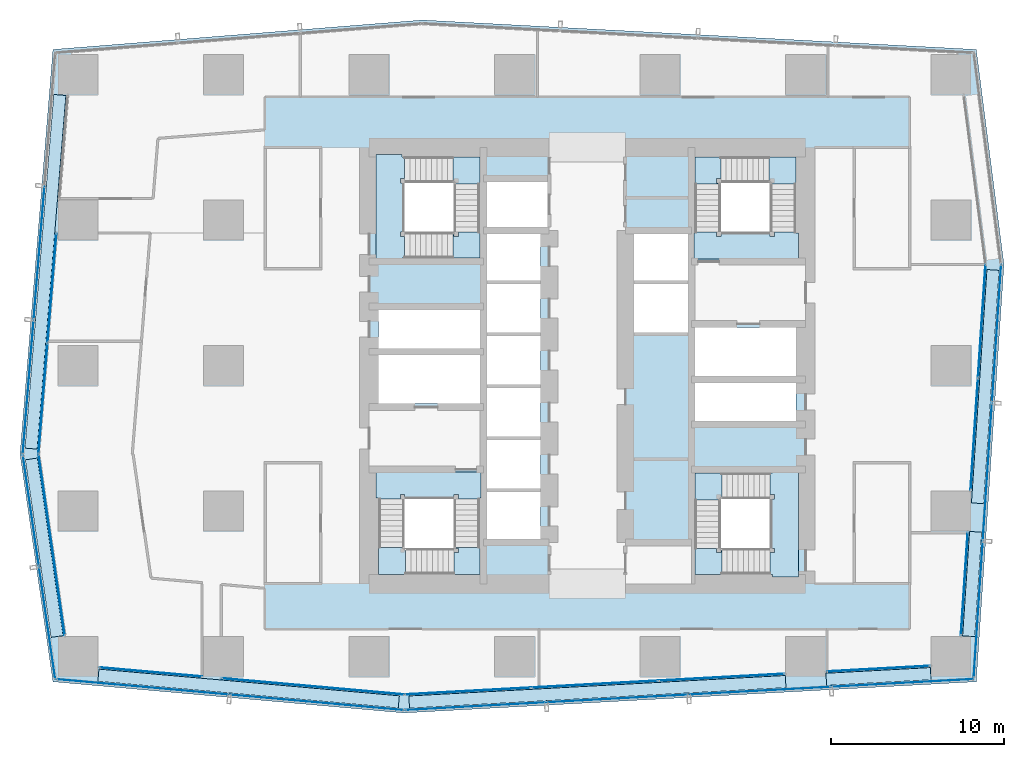
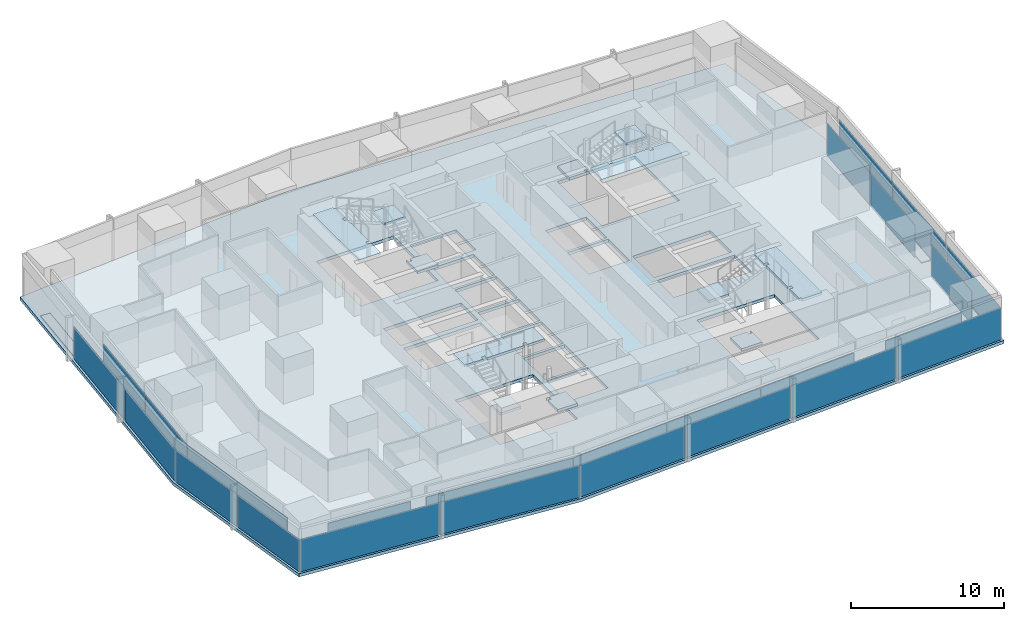
# One storey, part 20 of 32: 32 plates, 13 slabs, 17 elements without a shape of their own.
"""IFC4 building model written with IfcOpenShell, lengths in metres."""

from ifc_helpers import new_model, si_unit, direction, frame, origin, origin_2d, place, context, subcontext, project, spatial, polyline, rectangle, outline, extrude, material, layer, layer_set, type_object, element, aggregate, save


model = new_model("IFC4")

# Units and contexts
model_context = context("Model", 3, precision=1e-05, world=origin(), true_north=direction((0.0, 1.0)))
body_context = subcontext(model_context, "Body", "Model", "MODEL_VIEW")
ifc_project = project(units=[si_unit("LENGTHUNIT", "METRE"), si_unit("AREAUNIT", "SQUARE_METRE"), si_unit("VOLUMEUNIT", "CUBIC_METRE"), si_unit("PLANEANGLEUNIT", "RADIAN"), si_unit("MASSUNIT", "GRAM", prefix="KILO")], contexts=[model_context])

# Site, building, storey
site_placement = place(None, origin())
site = spatial("IfcSite", under=ifc_project, at=site_placement, CompositionType="ELEMENT")
building_placement = place(site_placement, origin())
building = spatial("IfcBuilding", under=site, at=building_placement, Name="Rekha Terrace Tower", CompositionType="ELEMENT")
storey_placement = place(building_placement, frame((0.0, 0.0, 250.10009765625)))
storey = spatial("IfcBuildingStorey", under=building, at=storey_placement, Name="L63", CompositionType="ELEMENT", Elevation=250.10009765625)

# Curtain wall, plate
ifc_material_1 = material(Name="Aluminium framing", Category="aluminium")
curtain_wall_type_1 = type_object("IfcCurtainWallType", Name="CW1 double skin inner glazing", PredefinedType="USERDEFINED", material=ifc_material_1)
curtain_wall_1_placement = place(storey_placement, origin())
curtain_wall_1 = element("IfcCurtainWall", 1, at=curtain_wall_1_placement, inside=storey, type_object=curtain_wall_type_1, Name="CW1 double skin inner glazing", ObjectType="DOUBLE SKIN INNER GLAZING", PredefinedType="USERDEFINED")
ifc_material_2 = material(Name="Double-glazed low-e unit 32", Category="glass")
ifc_layer_1 = layer(ifc_material_2, 0.031982421875)
ifc_layer_set_1 = layer_set([ifc_layer_1], Name="Double-glazed low-e unit 32")
plate_type_1 = type_object("IfcPlateType", Name="CW1 jumbo vision panel, double-glazed low-e unit 32", PredefinedType="CURTAIN_PANEL", material=ifc_layer_set_1)
plate_1_placement = place(storey_placement, frame((12.60009765625, 15.912109375, -0.000244140625), z_axis=(0.0, 0.0, 1.0), x_axis=(0.996074182655, -0.088522441492, 0.0)))
plate_1 = element("IfcPlate", 2, at=plate_1_placement, type_object=plate_type_1, Name="CW1 panel 1.1", PredefinedType="CURTAIN_PANEL", context=body_context, shape_type="SweptSolid", body=[
    extrude(rectangle(XDim=5.937255859375, YDim=0.031982421875, at=origin_2d()), origin(), (0.0, 0.0, 1.0), 2.60009765625),
])
aggregate(curtain_wall_1, [plate_1])

curtain_wall_2_placement = place(storey_placement, origin())
curtain_wall_2 = element("IfcCurtainWall", 3, at=curtain_wall_2_placement, inside=storey, type_object=curtain_wall_type_1, Name="CW1 double skin inner glazing", ObjectType="DOUBLE SKIN INNER GLAZING", PredefinedType="USERDEFINED")
plate_2_placement = place(storey_placement, frame((21.960205078125, 15.080322265625, -0.000244140625), z_axis=(0.0, 0.0, 1.0), x_axis=(0.996074182663, -0.088522441405, 0.0)))
plate_2 = element("IfcPlate", 4, at=plate_2_placement, type_object=plate_type_1, Name="CW1 panel 1.1", PredefinedType="CURTAIN_PANEL", context=body_context, shape_type="SweptSolid", body=[
    extrude(rectangle(XDim=10.5654296875, YDim=0.031982421875, at=origin_2d()), origin(), (0.0, 0.0, 1.0), 2.60009765625),
])
aggregate(curtain_wall_2, [plate_2])

# Curtain wall, plates
curtain_wall_3_placement = place(storey_placement, origin())
curtain_wall_3 = element("IfcCurtainWall", 5, at=curtain_wall_3_placement, inside=storey, type_object=curtain_wall_type_1, Name="CW1 double skin inner glazing", ObjectType="DOUBLE SKIN INNER GLAZING", PredefinedType="USERDEFINED")
plate_3_placement = place(storey_placement, frame((30.905517578125, 14.813232421875, -0.000244140625), z_axis=(0.0, 0.0, 1.0), x_axis=(0.998519828159, 0.054388903036, 0.0)))
plate_3 = element("IfcPlate", 6, at=plate_3_placement, type_object=plate_type_1, Name="CW1 panel 1.1", PredefinedType="CURTAIN_PANEL", context=body_context, shape_type="SweptSolid", body=[
    extrude(rectangle(XDim=7.24755859375, YDim=0.031982421875, at=origin_2d()), origin(), (0.0, 0.0, 1.0), 2.60009765625),
])
plate_4_placement = place(storey_placement, frame((38.2236328125, 15.2119140625, -0.000244140625), z_axis=(0.0, 0.0, 1.0), x_axis=(0.998519828159, 0.054388903036, 0.0)))
plate_4 = element("IfcPlate", 7, at=plate_4_placement, type_object=plate_type_1, Name="CW1 panel 2.1", PredefinedType="CURTAIN_PANEL", context=body_context, shape_type="SweptSolid", body=[
    extrude(rectangle(XDim=7.280029296875, YDim=0.031982421875, at=origin_2d()), origin(), (0.0, 0.0, 1.0), 2.60009765625),
])
plate_5_placement = place(storey_placement, frame((45.54150390625, 15.6103515625, -0.000244140625), z_axis=(0.0, 0.0, 1.0), x_axis=(0.998519828159, 0.054388903036, 0.0)))
plate_5 = element("IfcPlate", 8, at=plate_5_placement, type_object=plate_type_1, Name="CW1 panel 3.1", PredefinedType="CURTAIN_PANEL", context=body_context, shape_type="SweptSolid", body=[
    extrude(rectangle(XDim=7.24755859375, YDim=0.031982421875, at=origin_2d()), origin(), (0.0, 0.0, 1.0), 2.60009765625),
])
aggregate(curtain_wall_3, [plate_3, plate_4, plate_5])

# Curtain wall, plate
curtain_wall_4_placement = place(storey_placement, origin())
curtain_wall_4 = element("IfcCurtainWall", 9, at=curtain_wall_4_placement, inside=storey, type_object=curtain_wall_type_1, Name="CW1 double skin inner glazing", ObjectType="DOUBLE SKIN INNER GLAZING", PredefinedType="USERDEFINED")
plate_6_placement = place(storey_placement, frame((54.60009765625, 16.103759765625, -0.000244140625), z_axis=(0.0, 0.0, 1.0), x_axis=(0.998519828152, 0.054388903158, 0.0)))
plate_6 = element("IfcPlate", 10, at=plate_6_placement, type_object=plate_type_1, Name="CW1 panel 1.1", PredefinedType="CURTAIN_PANEL", context=body_context, shape_type="SweptSolid", body=[
    extrude(rectangle(XDim=5.9287109375, YDim=0.031982421875, at=origin_2d()), origin(), (0.0, 0.0, 1.0), 2.60009765625),
])
aggregate(curtain_wall_4, [plate_6])

curtain_wall_5_placement = place(storey_placement, origin())
curtain_wall_5 = element("IfcCurtainWall", 11, at=curtain_wall_5_placement, inside=storey, type_object=curtain_wall_type_1, Name="CW1 double skin inner glazing", ObjectType="DOUBLE SKIN INNER GLAZING", PredefinedType="USERDEFINED")
plate_7_placement = place(storey_placement, frame((59.56298828125, 21.0, -0.000244140625), z_axis=(0.0, 0.0, 1.0), x_axis=(0.066271589736, 0.997801621764, 0.0)))
plate_7 = element("IfcPlate", 12, at=plate_7_placement, type_object=plate_type_1, Name="CW1 panel 1.1", PredefinedType="CURTAIN_PANEL", context=body_context, shape_type="SweptSolid", body=[
    extrude(rectangle(XDim=5.930908203125, YDim=0.031982421875, at=origin_2d()), origin(), (0.0, 0.0, 1.0), 2.60009765625),
])
aggregate(curtain_wall_5, [plate_7])

# Curtain wall, plates
curtain_wall_6_placement = place(storey_placement, origin())
curtain_wall_6 = element("IfcCurtainWall", 13, at=curtain_wall_6_placement, inside=storey, type_object=curtain_wall_type_1, Name="CW1 double skin inner glazing", ObjectType="DOUBLE SKIN INNER GLAZING", PredefinedType="USERDEFINED")
plate_8_placement = place(storey_placement, frame((60.13720703125, 29.64697265625, -0.000244140625), z_axis=(0.0, 0.0, 1.0), x_axis=(0.066271589597, 0.997801621773, 0.0)))
plate_8 = element("IfcPlate", 14, at=plate_8_placement, type_object=plate_type_1, Name="CW1 panel 1.1", PredefinedType="CURTAIN_PANEL", context=body_context, shape_type="SweptSolid", body=[
    extrude(rectangle(XDim=6.434326171875, YDim=0.031982421875, at=origin_2d()), origin(), (0.0, 0.0, 1.0), 2.60009765625),
])
plate_9_placement = place(storey_placement, frame((60.570068359375, 36.16455078125, -0.000244140625), z_axis=(0.0, 0.0, 1.0), x_axis=(0.066271589597, 0.997801621773, 0.0)))
plate_9 = element("IfcPlate", 15, at=plate_9_placement, type_object=plate_type_1, Name="CW1 panel 2.1", PredefinedType="CURTAIN_PANEL", context=body_context, shape_type="SweptSolid", body=[
    extrude(rectangle(XDim=6.499267578125, YDim=0.031982421875, at=origin_2d()), origin(), (0.0, 0.0, 1.0), 2.60009765625),
])
aggregate(curtain_wall_6, [plate_8, plate_9])

curtain_wall_7_placement = place(storey_placement, origin())
curtain_wall_7 = element("IfcCurtainWall", 16, at=curtain_wall_7_placement, inside=storey, type_object=curtain_wall_type_1, Name="CW1 double skin inner glazing", ObjectType="DOUBLE SKIN INNER GLAZING", PredefinedType="USERDEFINED")
plate_10_placement = place(storey_placement, frame((6.89306640625, 38.07373046875, -0.000244140625), z_axis=(0.0, 0.0, 1.0), x_axis=(-0.081067906798, -0.996708580523, 0.0)))
plate_10 = element("IfcPlate", 17, at=plate_10_placement, type_object=plate_type_1, Name="CW1 panel 1.1", PredefinedType="CURTAIN_PANEL", context=body_context, shape_type="SweptSolid", body=[
    extrude(rectangle(XDim=6.30126953125, YDim=0.031982421875, at=origin_2d()), origin(), (0.0, 0.0, 1.0), 2.60009765625),
])
plate_11_placement = place(storey_placement, frame((6.374267578125, 31.696044921875, -0.000244140625), z_axis=(0.0, 0.0, 1.0), x_axis=(-0.081067906798, -0.996708580523, 0.0)))
plate_11 = element("IfcPlate", 18, at=plate_11_placement, type_object=plate_type_1, Name="CW1 panel 2.1", PredefinedType="CURTAIN_PANEL", context=body_context, shape_type="SweptSolid", body=[
    extrude(rectangle(XDim=6.366455078125, YDim=0.031982421875, at=origin_2d()), origin(), (0.0, 0.0, 1.0), 2.60009765625),
])
aggregate(curtain_wall_7, [plate_10, plate_11])

# Curtain wall, plate
curtain_wall_8_placement = place(storey_placement, origin())
curtain_wall_8 = element("IfcCurtainWall", 19, at=curtain_wall_8_placement, inside=storey, type_object=curtain_wall_type_1, Name="CW1 double skin inner glazing", ObjectType="DOUBLE SKIN INNER GLAZING", PredefinedType="USERDEFINED")
plate_12_placement = place(storey_placement, frame((6.878173828125, 23.25341796875, -0.000244140625), z_axis=(0.0, 0.0, 1.0), x_axis=(0.143108322626, -0.989707031396, 0.0)))
plate_12 = element("IfcPlate", 20, at=plate_12_placement, type_object=plate_type_1, Name="CW1 panel 1.1", PredefinedType="CURTAIN_PANEL", context=body_context, shape_type="SweptSolid", body=[
    extrude(rectangle(XDim=10.51953125, YDim=0.031982421875, at=origin_2d()), origin(), (0.0, 0.0, 1.0), 2.60009765625),
])
aggregate(curtain_wall_8, [plate_12])

# Curtain wall, plates
curtain_wall_type_2 = type_object("IfcCurtainWallType", Name="CW2 double skin outer glazing", PredefinedType="USERDEFINED", material=ifc_material_1)
curtain_wall_9_placement = place(storey_placement, origin())
curtain_wall_9 = element("IfcCurtainWall", 21, at=curtain_wall_9_placement, inside=storey, type_object=curtain_wall_type_2, Name="CW2 double skin outer glazing", ObjectType="DOUBLE SKIN OUTER GLAZING", PredefinedType="USERDEFINED")
ifc_material_3 = material(Name="Toughened single glazing 12", Category="glass")
ifc_layer_2 = layer(ifc_material_3, 0.011962890625)
ifc_layer_set_2 = layer_set([ifc_layer_2], Name="Toughened single glazing 12")
plate_type_2 = type_object("IfcPlateType", Name="CW2 jumbo vision panel, toughened single glazing 12", PredefinedType="CURTAIN_PANEL", material=ifc_layer_set_2)
plate_13_placement = place(storey_placement, frame((12.139404296875, 15.049560546875, -0.000244140625), z_axis=(0.0, 0.0, 1.0), x_axis=(0.996074182658, -0.088522441457, 0.0)))
plate_13 = element("IfcPlate", 22, at=plate_13_placement, type_object=plate_type_2, Name="CW2 panel 1.1", PredefinedType="CURTAIN_PANEL", context=body_context, shape_type="SweptSolid", body=[
    extrude(rectangle(XDim=9.977783203125, YDim=0.011962890625, at=origin_2d()), origin(), (0.0, 0.0, 1.0), 2.60009765625),
])
plate_14_placement = place(storey_placement, frame((22.197509765625, 14.155517578125, -0.000244140625), z_axis=(0.0, 0.0, 1.0), x_axis=(0.996074182658, -0.088522441457, 0.0)))
plate_14 = element("IfcPlate", 23, at=plate_14_placement, type_object=plate_type_2, Name="CW2 panel 2.1", PredefinedType="CURTAIN_PANEL", context=body_context, shape_type="SweptSolid", body=[
    extrude(rectangle(XDim=10.057861328125, YDim=0.011962890625, at=origin_2d()), origin(), (0.0, 0.0, 1.0), 2.60009765625),
])
aggregate(curtain_wall_9, [plate_13, plate_14])

curtain_wall_10_placement = place(storey_placement, origin())
curtain_wall_10 = element("IfcCurtainWall", 24, at=curtain_wall_10_placement, inside=storey, type_object=curtain_wall_type_2, Name="CW2 double skin outer glazing", ObjectType="DOUBLE SKIN OUTER GLAZING", PredefinedType="USERDEFINED")
plate_15_placement = place(storey_placement, frame((31.33837890625, 13.935546875, -0.000244140625), z_axis=(0.0, 0.0, 1.0), x_axis=(0.998519828157, 0.054388903071, 0.0)))
plate_15 = element("IfcPlate", 25, at=plate_15_placement, type_object=plate_type_2, Name="CW2 panel 1.1", PredefinedType="CURTAIN_PANEL", context=body_context, shape_type="SweptSolid", body=[
    extrude(rectangle(XDim=8.115478515625, YDim=0.011962890625, at=origin_2d()), origin(), (0.0, 0.0, 1.0), 2.60009765625),
])
plate_16_placement = place(storey_placement, frame((39.54150390625, 14.38232421875, -0.000244140625), z_axis=(0.0, 0.0, 1.0), x_axis=(0.998519828157, 0.054388903071, 0.0)))
plate_16 = element("IfcPlate", 26, at=plate_16_placement, type_object=plate_type_2, Name="CW2 panel 2.1", PredefinedType="CURTAIN_PANEL", context=body_context, shape_type="SweptSolid", body=[
    extrude(rectangle(XDim=8.155517578125, YDim=0.011962890625, at=origin_2d()), origin(), (0.0, 0.0, 1.0), 2.60009765625),
])
plate_17_placement = place(storey_placement, frame((47.764892578125, 14.830078125, -0.000244140625), z_axis=(0.0, 0.0, 1.0), x_axis=(0.998519828157, 0.054388903071, 0.0)))
plate_17 = element("IfcPlate", 27, at=plate_17_placement, type_object=plate_type_2, Name="CW2 panel 3.1", PredefinedType="CURTAIN_PANEL", context=body_context, shape_type="SweptSolid", body=[
    extrude(rectangle(XDim=8.155517578125, YDim=0.011962890625, at=origin_2d()), origin(), (0.0, 0.0, 1.0), 2.60009765625),
])
plate_18_placement = place(storey_placement, frame((56.008056640625, 15.279296875, -0.000244140625), z_axis=(0.0, 0.0, 1.0), x_axis=(0.998519828157, 0.054388903071, 0.0)))
plate_18 = element("IfcPlate", 28, at=plate_18_placement, type_object=plate_type_2, Name="CW2 panel 4.1", PredefinedType="CURTAIN_PANEL", context=body_context, shape_type="SweptSolid", body=[
    extrude(rectangle(XDim=8.195556640625, YDim=0.011962890625, at=origin_2d()), origin(), (0.0, 0.0, 1.0), 2.60009765625),
])
aggregate(curtain_wall_10, [plate_15, plate_16, plate_17, plate_18])

curtain_wall_11_placement = place(storey_placement, origin())
curtain_wall_11 = element("IfcCurtainWall", 29, at=curtain_wall_11_placement, inside=storey, type_object=curtain_wall_type_2, Name="CW2 double skin outer glazing", ObjectType="DOUBLE SKIN OUTER GLAZING", PredefinedType="USERDEFINED")
plate_19_placement = place(storey_placement, frame((60.365966796875, 19.5107421875, -0.000244140625), z_axis=(0.0, 0.0, 1.0), x_axis=(0.066271589649, 0.997801621769, 0.0)))
plate_19 = element("IfcPlate", 30, at=plate_19_placement, type_object=plate_type_2, Name="CW2 panel 1.1", PredefinedType="CURTAIN_PANEL", context=body_context, shape_type="SweptSolid", body=[
    extrude(rectangle(XDim=7.875244140625, YDim=0.011962890625, at=origin_2d()), origin(), (0.0, 0.0, 1.0), 2.60009765625),
])
plate_20_placement = place(storey_placement, frame((60.89453125, 27.468505859375, -0.000244140625), z_axis=(0.0, 0.0, 1.0), x_axis=(0.066271589649, 0.997801621769, 0.0)))
plate_20 = element("IfcPlate", 31, at=plate_20_placement, type_object=plate_type_2, Name="CW2 panel 2.1", PredefinedType="CURTAIN_PANEL", context=body_context, shape_type="SweptSolid", body=[
    extrude(rectangle(XDim=7.915283203125, YDim=0.011962890625, at=origin_2d()), origin(), (0.0, 0.0, 1.0), 2.60009765625),
])
plate_21_placement = place(storey_placement, frame((61.42578125, 35.466064453125, -0.000244140625), z_axis=(0.0, 0.0, 1.0), x_axis=(0.066271589649, 0.997801621769, 0.0)))
plate_21 = element("IfcPlate", 32, at=plate_21_placement, type_object=plate_type_2, Name="CW2 panel 3.1", PredefinedType="CURTAIN_PANEL", context=body_context, shape_type="SweptSolid", body=[
    extrude(rectangle(XDim=7.955322265625, YDim=0.011962890625, at=origin_2d()), origin(), (0.0, 0.0, 1.0), 2.60009765625),
])
aggregate(curtain_wall_11, [plate_19, plate_20, plate_21])

curtain_wall_12_placement = place(storey_placement, origin())
curtain_wall_12 = element("IfcCurtainWall", 33, at=curtain_wall_12_placement, inside=storey, type_object=curtain_wall_type_2, Name="CW2 double skin outer glazing", ObjectType="DOUBLE SKIN OUTER GLAZING", PredefinedType="USERDEFINED")
plate_22_placement = place(storey_placement, frame((6.15478515625, 40.09814453125, -0.000244140625), z_axis=(0.0, 0.0, 1.0), x_axis=(-0.081067906816, -0.996708580521, 0.0)))
plate_22 = element("IfcPlate", 34, at=plate_22_placement, type_object=plate_type_2, Name="CW2 panel 2.1", PredefinedType="CURTAIN_PANEL", context=body_context, shape_type="SweptSolid", body=[
    extrude(rectangle(XDim=7.680908203125, YDim=0.011962890625, at=origin_2d()), origin(), (0.0, 0.0, 1.0), 2.60009765625),
])
plate_23_placement = place(storey_placement, frame((5.52392578125, 32.3427734375, -0.000244140625), z_axis=(0.0, 0.0, 1.0), x_axis=(-0.081067906816, -0.996708580521, 0.0)))
plate_23 = element("IfcPlate", 35, at=plate_23_placement, type_object=plate_type_2, Name="CW2 panel 3.1", PredefinedType="CURTAIN_PANEL", context=body_context, shape_type="SweptSolid", body=[
    extrude(rectangle(XDim=7.720947265625, YDim=0.011962890625, at=origin_2d()), origin(), (0.0, 0.0, 1.0), 2.60009765625),
])
aggregate(curtain_wall_12, [plate_22, plate_23])

curtain_wall_13_placement = place(storey_placement, origin())
curtain_wall_13 = element("IfcCurtainWall", 36, at=curtain_wall_13_placement, inside=storey, type_object=curtain_wall_type_2, Name="CW2 double skin outer glazing", ObjectType="DOUBLE SKIN OUTER GLAZING", PredefinedType="USERDEFINED")
plate_24_placement = place(storey_placement, frame((5.68359375, 25.22607421875, -0.000244140625), z_axis=(0.0, 0.0, 1.0), x_axis=(0.143108322678, -0.989707031389, 0.0)))
plate_24 = element("IfcPlate", 37, at=plate_24_placement, type_object=plate_type_2, Name="CW2 panel 1.1", PredefinedType="CURTAIN_PANEL", context=body_context, shape_type="SweptSolid", body=[
    extrude(rectangle(XDim=6.446044921875, YDim=0.011962890625, at=origin_2d()), origin(), (0.0, 0.0, 1.0), 2.60009765625),
])
plate_25_placement = place(storey_placement, frame((6.623291015625, 18.7275390625, -0.000244140625), z_axis=(0.0, 0.0, 1.0), x_axis=(0.143108322678, -0.989707031389, 0.0)))
plate_25 = element("IfcPlate", 38, at=plate_25_placement, type_object=plate_type_2, Name="CW2 panel 2.1", PredefinedType="CURTAIN_PANEL", context=body_context, shape_type="SweptSolid", body=[
    extrude(rectangle(XDim=6.526123046875, YDim=0.011962890625, at=origin_2d()), origin(), (0.0, 0.0, 1.0), 2.60009765625),
])
aggregate(curtain_wall_13, [plate_24, plate_25])

# Plates
ifc_material_4 = material(Name="Galvanised steel open grating", Category="steel")
ifc_layer_3 = layer(ifc_material_4, 0.050048828125)
ifc_layer_set_3 = layer_set([ifc_layer_3], Name="Galvanised steel open grating")
plate_type_3 = type_object("IfcPlateType", Name="GT1 cavity walkway grating 50", PredefinedType="USERDEFINED", material=ifc_layer_set_3)
plate_26_placement = place(storey_placement, frame((18.246337890625, 14.95849609375, 0.0), z_axis=(0.0, 0.0, 1.0), x_axis=(0.99607418266, -0.08852244144, 0.0)))
element("IfcPlate", 39, at=plate_26_placement, inside=storey, type_object=plate_type_3, Name="Cavity walkway grating", ObjectType="CAVITY WALKWAY GRATING", PredefinedType="USERDEFINED", context=body_context, shape_type="SweptSolid", body=[
    extrude(rectangle(XDim=17.406982421875, YDim=0.705078125, at=origin_2d()), origin(), (0.0, 0.0, 1.0), 0.050048828125),
])
plate_27_placement = place(storey_placement, frame((38.3798828125, 14.76953125, 0.0), z_axis=(0.0, 0.0, 1.0), x_axis=(0.998519828157, 0.054388903071, 0.0)))
element("IfcPlate", 40, at=plate_27_placement, inside=storey, type_object=plate_type_3, Name="Cavity walkway grating", ObjectType="CAVITY WALKWAY GRATING", PredefinedType="USERDEFINED", context=body_context, shape_type="SweptSolid", body=[
    extrude(rectangle(XDim=21.763916015625, YDim=0.705078125, at=origin_2d()), origin(), (0.0, 0.0, 1.0), 0.050048828125),
])
for number, where, z_axis, x_axis, name in (
    (41, (54.60546875, 15.653564453125, 0.0), (0.0, 0.0, 1.0), (0.998519828157, 0.054388903071, 0.0), "Cavity walkway grating"),
    (42, (60.013427734375, 20.9921875, 0.0), (0.0, 0.0, 1.0), (0.066271589649, 0.997801621769, 0.0), "Cavity walkway grating"),
):
    element("IfcPlate", number, at=place(storey_placement, frame(where, z_axis=z_axis, x_axis=x_axis)), inside=storey, type_object=plate_type_3, Name=name, ObjectType="CAVITY WALKWAY GRATING", PredefinedType="USERDEFINED", context=body_context, shape_type="SweptSolid", body=[
        extrude(rectangle(XDim=6.03955078125, YDim=0.705078125, at=origin_2d()), origin(), (0.0, 0.0, 1.0), 0.050048828125),
    ])
plate_28_placement = place(storey_placement, frame((60.770263671875, 32.3876953125, 0.0), z_axis=(0.0, 0.0, 1.0), x_axis=(0.066271589649, 0.997801621769, 0.0)))
element("IfcPlate", 43, at=plate_28_placement, inside=storey, type_object=plate_type_3, Name="Cavity walkway grating", ObjectType="CAVITY WALKWAY GRATING", PredefinedType="USERDEFINED", context=body_context, shape_type="SweptSolid", body=[
    extrude(rectangle(XDim=13.49755859375, YDim=0.705078125, at=origin_2d()), origin(), (0.0, 0.0, 1.0), 0.050048828125),
])
plate_29_placement = place(storey_placement, frame((6.51806640625, 39.01513671875, 0.0), z_axis=(0.0, 0.0, 1.0), x_axis=(-0.081067906798, -0.996708580523, 0.0)))
element("IfcPlate", 44, at=plate_29_placement, inside=storey, type_object=plate_type_3, Name="Cavity walkway grating", ObjectType="CAVITY WALKWAY GRATING", PredefinedType="USERDEFINED", context=body_context, shape_type="SweptSolid", body=[
    extrude(rectangle(XDim=20.481201171875, YDim=0.705078125, at=origin_2d()), origin(), (0.0, 0.0, 1.0), 0.050048828125),
])
plate_30_placement = place(storey_placement, frame((6.447509765625, 23.0869140625, 0.0), z_axis=(0.0, 0.0, 1.0), x_axis=(0.143108322643, -0.989707031394, 0.0)))
element("IfcPlate", 45, at=plate_30_placement, inside=storey, type_object=plate_type_3, Name="Cavity walkway grating", ObjectType="CAVITY WALKWAY GRATING", PredefinedType="USERDEFINED", context=body_context, shape_type="SweptSolid", body=[
    extrude(rectangle(XDim=10.357421875, YDim=0.705078125, at=origin_2d()), origin(), (0.0, 0.0, 1.0), 0.050048828125),
])

# Stair, slabs
ifc_material_5 = material(Name="Concrete M40", Category="concrete")
stair_type = type_object("IfcStairType", Name="ST30 stair, 30 risers of 125, going 310, 1500 wide flights, 3 flights", PredefinedType="HALF_TURN_STAIR", material=ifc_material_5)
stair_1_placement = place(storey_placement, origin())
stair_1 = element("IfcStair", 46, at=stair_1_placement, inside=storey, type_object=stair_type, Name="Stair ST1 L63 to L64", PredefinedType="HALF_TURN_STAIR")
ifc_layer_4 = layer(ifc_material_5, 0.199951171875)
ifc_layer_set_4 = layer_set([ifc_layer_4], Name="Concrete M40")
slab_type_1 = type_object("IfcSlabType", Name="LD1 200 concrete stair landing", PredefinedType="LANDING", material=ifc_layer_set_4)
slab_1_placement = place(storey_placement, frame((0.0, 0.0, 1.0498046875)))
slab_1 = element("IfcSlab", 47, at=slab_1_placement, type_object=slab_type_1, Name="ST1 landing 1", PredefinedType="LANDING", context=body_context, shape_type="SweptSolid", body=[
    extrude(outline(polyline([(30.10009765625, 21.550048828125), (31.60009765625, 21.550048828125), (31.60009765625, 23.110107421875), (30.10009765625, 23.110107421875), (30.10009765625, 23.050048828125), (30.35009765625, 23.050048828125), (30.35009765625, 22.800048828125), (30.10009765625, 22.800048828125), (30.10009765625, 21.550048828125)])), origin(), (0.0, 0.0, 1.0), 0.2001953125),
])
slab_2_placement = place(storey_placement, frame((0.0, 0.0, 2.2998046875)))
slab_2 = element("IfcSlab", 48, at=slab_2_placement, type_object=slab_type_1, Name="ST1 landing 2", PredefinedType="LANDING", context=body_context, shape_type="SweptSolid", body=[
    extrude(outline(polyline([(27.25, 23.110107421875), (25.75, 23.110107421875), (25.75, 21.550048828125), (27.31005859375, 21.550048828125), (27.31005859375, 23.050048828125), (27.25, 23.050048828125), (27.25, 23.110107421875)])), origin(), (0.0, 0.0, 1.0), 0.2001953125),
])
slab_3_placement = place(storey_placement, frame((0.0, 0.0, 3.5498046875)))
slab_3 = element("IfcSlab", 49, at=slab_3_placement, type_object=slab_type_1, Name="ST1 landing 3", PredefinedType="LANDING", context=body_context, shape_type="SweptSolid", body=[
    extrude(outline(polyline([(30.35009765625, 25.89990234375), (31.60009765625, 25.89990234375), (31.60009765625, 25.949951171875), (31.64990234375, 25.949951171875), (31.64990234375, 27.449951171875), (25.60009765625, 27.449951171875), (25.60009765625, 25.949951171875), (25.75, 25.949951171875), (25.75, 25.89990234375), (27.0, 25.89990234375), (27.0, 25.949951171875), (27.0, 26.14990234375), (27.25, 26.14990234375), (27.25, 25.949951171875), (27.25, 25.89990234375), (30.10009765625, 25.89990234375), (30.10009765625, 25.949951171875), (30.10009765625, 26.14990234375), (30.35009765625, 26.14990234375), (30.35009765625, 25.949951171875), (30.35009765625, 25.89990234375)])), origin(), (0.0, 0.0, 1.0), 0.2001953125),
])
aggregate(stair_1, [slab_1, slab_2, slab_3])

stair_2_placement = place(storey_placement, origin())
stair_2 = element("IfcStair", 50, at=stair_2_placement, inside=storey, type_object=stair_type, Name="Stair ST2 L63 to L64", PredefinedType="HALF_TURN_STAIR")
slab_4_placement = place(storey_placement, frame((0.0, 0.0, 1.0498046875)))
slab_4 = element("IfcSlab", 51, at=slab_4_placement, type_object=slab_type_1, Name="ST2 landing 1", PredefinedType="LANDING", context=body_context, shape_type="SweptSolid", body=[
    extrude(outline(polyline([(45.5, 45.64990234375), (44.0, 45.64990234375), (44.0, 44.090087890625), (45.5, 44.090087890625), (45.5, 44.14990234375), (45.25, 44.14990234375), (45.25, 44.39990234375), (45.5, 44.39990234375), (45.5, 45.64990234375)])), origin(), (0.0, 0.0, 1.0), 0.2001953125),
])
slab_5_placement = place(storey_placement, frame((0.0, 0.0, 2.2998046875)))
slab_5 = element("IfcSlab", 52, at=slab_5_placement, type_object=slab_type_1, Name="ST2 landing 2", PredefinedType="LANDING", context=body_context, shape_type="SweptSolid", body=[
    extrude(outline(polyline([(48.35009765625, 44.090087890625), (49.85009765625, 44.090087890625), (49.85009765625, 45.64990234375), (48.2900390625, 45.64990234375), (48.2900390625, 44.14990234375), (48.35009765625, 44.14990234375), (48.35009765625, 44.090087890625)])), origin(), (0.0, 0.0, 1.0), 0.2001953125),
])
slab_6_placement = place(storey_placement, frame((0.0, 0.0, 3.5498046875)))
slab_6 = element("IfcSlab", 53, at=slab_6_placement, type_object=slab_type_1, Name="ST2 landing 3", PredefinedType="LANDING", context=body_context, shape_type="SweptSolid", body=[
    extrude(outline(polyline([(45.5, 41.300048828125), (45.5, 41.25), (45.5, 41.050048828125), (45.25, 41.050048828125), (45.25, 41.25), (45.25, 41.300048828125), (44.0, 41.300048828125), (44.0, 41.25), (43.949951171875, 41.25), (43.949951171875, 39.75), (50.0, 39.75), (50.0, 41.25), (49.85009765625, 41.25), (49.85009765625, 41.300048828125), (48.60009765625, 41.300048828125), (48.60009765625, 41.25), (48.60009765625, 41.050048828125), (48.35009765625, 41.050048828125), (48.35009765625, 41.25), (48.35009765625, 41.300048828125), (45.5, 41.300048828125)])), origin(), (0.0, 0.0, 1.0), 0.2001953125),
])
aggregate(stair_2, [slab_4, slab_5, slab_6])

stair_3_placement = place(storey_placement, origin())
stair_3 = element("IfcStair", 54, at=stair_3_placement, inside=storey, type_object=stair_type, Name="Stair ST3 L63 to L64", PredefinedType="HALF_TURN_STAIR")
slab_7_placement = place(storey_placement, frame((0.0, 0.0, 1.0498046875)))
slab_7 = element("IfcSlab", 55, at=slab_7_placement, type_object=slab_type_1, Name="ST3 landing 1", PredefinedType="LANDING", context=body_context, shape_type="SweptSolid", body=[
    extrude(outline(polyline([(44.0, 23.050048828125), (44.0, 21.550048828125), (45.56005859375, 21.550048828125), (45.56005859375, 23.050048828125), (45.5, 23.050048828125), (45.5, 22.800048828125), (45.25, 22.800048828125), (45.25, 23.050048828125), (44.0, 23.050048828125)])), origin(), (0.0, 0.0, 1.0), 0.2001953125),
])
slab_8_placement = place(storey_placement, frame((0.0, 0.0, 2.2998046875)))
slab_8 = element("IfcSlab", 56, at=slab_8_placement, type_object=slab_type_1, Name="ST3 landing 2", PredefinedType="LANDING", context=body_context, shape_type="SweptSolid", body=[
    extrude(outline(polyline([(45.56005859375, 25.89990234375), (45.56005859375, 27.39990234375), (44.0, 27.39990234375), (44.0, 25.840087890625), (45.5, 25.840087890625), (45.5, 25.89990234375), (45.56005859375, 25.89990234375)])), origin(), (0.0, 0.0, 1.0), 0.2001953125),
])
slab_9_placement = place(storey_placement, frame((0.0, 0.0, 3.5498046875)))
slab_9 = element("IfcSlab", 57, at=slab_9_placement, type_object=slab_type_1, Name="ST3 landing 3", PredefinedType="LANDING", context=body_context, shape_type="SweptSolid", body=[
    extrude(outline(polyline([(48.35009765625, 23.050048828125), (48.5, 23.050048828125), (48.60009765625, 23.050048828125), (48.60009765625, 22.800048828125), (48.5, 22.800048828125), (48.35009765625, 22.800048828125), (48.35009765625, 21.550048828125), (48.5, 21.550048828125), (48.5, 21.39990234375), (50.0, 21.39990234375), (50.0, 27.449951171875), (48.5, 27.449951171875), (48.5, 27.39990234375), (48.35009765625, 27.39990234375), (48.35009765625, 26.14990234375), (48.5, 26.14990234375), (48.60009765625, 26.14990234375), (48.60009765625, 25.89990234375), (48.5, 25.89990234375), (48.35009765625, 25.89990234375), (48.35009765625, 23.050048828125)])), origin(), (0.0, 0.0, 1.0), 0.2001953125),
])
aggregate(stair_3, [slab_7, slab_8, slab_9])

stair_4_placement = place(storey_placement, origin())
stair_4 = element("IfcStair", 58, at=stair_4_placement, inside=storey, type_object=stair_type, Name="Stair ST4 L63 to L64", PredefinedType="HALF_TURN_STAIR")
slab_10_placement = place(storey_placement, frame((0.0, 0.0, 1.0498046875)))
slab_10 = element("IfcSlab", 59, at=slab_10_placement, type_object=slab_type_1, Name="ST4 landing 1", PredefinedType="LANDING", context=body_context, shape_type="SweptSolid", body=[
    extrude(outline(polyline([(31.60009765625, 41.300048828125), (31.60009765625, 39.800048828125), (30.0400390625, 39.800048828125), (30.0400390625, 41.300048828125), (30.10009765625, 41.300048828125), (30.10009765625, 41.050048828125), (30.35009765625, 41.050048828125), (30.35009765625, 41.300048828125), (31.60009765625, 41.300048828125)])), origin(), (0.0, 0.0, 1.0), 0.2001953125),
])
slab_11_placement = place(storey_placement, frame((0.0, 0.0, 2.2998046875)))
slab_11 = element("IfcSlab", 60, at=slab_11_placement, type_object=slab_type_1, Name="ST4 landing 2", PredefinedType="LANDING", context=body_context, shape_type="SweptSolid", body=[
    extrude(outline(polyline([(30.0400390625, 44.14990234375), (30.0400390625, 45.64990234375), (31.60009765625, 45.64990234375), (31.60009765625, 44.090087890625), (30.10009765625, 44.090087890625), (30.10009765625, 44.14990234375), (30.0400390625, 44.14990234375)])), origin(), (0.0, 0.0, 1.0), 0.2001953125),
])
slab_12_placement = place(storey_placement, frame((0.0, 0.0, 3.5498046875)))
slab_12 = element("IfcSlab", 61, at=slab_12_placement, type_object=slab_type_1, Name="ST4 landing 3", PredefinedType="LANDING", context=body_context, shape_type="SweptSolid", body=[
    extrude(outline(polyline([(27.10009765625, 39.75), (25.60009765625, 39.75), (25.60009765625, 45.800048828125), (27.10009765625, 45.800048828125), (27.10009765625, 45.64990234375), (27.25, 45.64990234375), (27.25, 44.39990234375), (27.10009765625, 44.39990234375), (27.0, 44.39990234375), (27.0, 44.14990234375), (27.10009765625, 44.14990234375), (27.25, 44.14990234375), (27.25, 41.300048828125), (27.10009765625, 41.300048828125), (27.0, 41.300048828125), (27.0, 41.050048828125), (27.10009765625, 41.050048828125), (27.25, 41.050048828125), (27.25, 39.800048828125), (27.10009765625, 39.800048828125), (27.10009765625, 39.75)])), origin(), (0.0, 0.0, 1.0), 0.2001953125),
])
aggregate(stair_4, [slab_10, slab_11, slab_12])

# Slab
ifc_material_6 = material(Name="Concrete M50", Category="concrete")
ifc_layer_5 = layer(ifc_material_6, 0.25)
ifc_layer_set_5 = layer_set([ifc_layer_5], Name="Concrete M50")
slab_type_2 = type_object("IfcSlabType", Name="SL4 250 post-tensioned flat plate", PredefinedType="FLOOR", material=ifc_layer_set_5)
slab_13_placement = place(storey_placement, frame((0.0, 0.0, -0.25)))
element("IfcSlab", 62, at=slab_13_placement, inside=storey, type_object=slab_type_2, Name="Post-tensioned flat plate L63", PredefinedType="FLOOR", context=body_context, shape_type="SweptSolid", body=[
    extrude(outline(polyline([(5.050048828125, 28.489990234375), (6.949951171875, 15.35009765625), (27.2041015625, 13.550048828125), (60.25, 15.35009765625), (61.85009765625, 39.43994140625), (60.25, 51.85009765625), (28.27001953125, 53.550048828125), (6.949951171875, 51.85009765625), (5.050048828125, 28.489990234375)]), holes=[polyline([(31.60009765625, 27.39990234375), (31.60009765625, 21.550048828125), (25.75, 21.550048828125), (25.75, 27.39990234375), (31.60009765625, 27.39990234375)]), polyline([(35.10009765625, 26.300048828125), (35.10009765625, 23.60009765625), (32.0, 23.60009765625), (32.0, 26.300048828125), (35.10009765625, 26.300048828125)]), polyline([(35.10009765625, 29.300048828125), (35.10009765625, 26.5), (32.0, 26.5), (32.0, 29.300048828125), (35.10009765625, 29.300048828125)]), polyline([(35.10009765625, 32.300048828125), (35.10009765625, 29.5), (32.0, 29.5), (32.0, 32.300048828125), (35.10009765625, 32.300048828125)]), polyline([(31.60009765625, 34.199951171875), (31.60009765625, 31.39990234375), (25.75, 31.39990234375), (25.75, 34.199951171875), (31.60009765625, 34.199951171875)]), polyline([(35.10009765625, 35.300048828125), (35.10009765625, 32.5), (32.0, 32.5), (32.0, 35.300048828125), (35.10009765625, 35.300048828125)]), polyline([(31.60009765625, 36.800048828125), (31.60009765625, 34.60009765625), (25.75, 34.60009765625), (25.75, 36.800048828125), (31.60009765625, 36.800048828125)]), polyline([(35.10009765625, 38.300048828125), (35.10009765625, 35.5), (32.0, 35.5), (32.0, 38.300048828125), (35.10009765625, 38.300048828125)]), polyline([(31.60009765625, 45.64990234375), (31.60009765625, 39.800048828125), (25.75, 39.800048828125), (25.75, 45.64990234375), (31.60009765625, 45.64990234375)]), polyline([(49.85009765625, 27.39990234375), (49.85009765625, 21.550048828125), (44.0, 21.550048828125), (44.0, 27.39990234375), (49.85009765625, 27.39990234375)]), polyline([(49.85009765625, 32.60009765625), (49.85009765625, 30.39990234375), (44.0, 30.39990234375), (44.0, 32.60009765625), (49.85009765625, 32.60009765625)]), polyline([(49.85009765625, 35.800048828125), (49.85009765625, 33.0), (44.0, 33.0), (44.0, 35.800048828125), (49.85009765625, 35.800048828125)]), polyline([(43.60009765625, 38.300048828125), (43.60009765625, 35.5), (40.5, 35.5), (40.5, 38.300048828125), (43.60009765625, 38.300048828125)]), polyline([(35.10009765625, 41.199951171875), (35.10009765625, 38.5), (32.0, 38.5), (32.0, 41.199951171875), (35.10009765625, 41.199951171875)]), polyline([(43.60009765625, 41.199951171875), (43.60009765625, 38.5), (40.5, 38.5), (40.5, 41.199951171875), (43.60009765625, 41.199951171875)]), polyline([(49.85009765625, 39.800048828125), (44.0, 39.800048828125), (44.0, 45.64990234375), (49.85009765625, 45.64990234375), (49.85009765625, 39.800048828125)]), polyline([(35.5, 41.60009765625), (32.0, 41.60009765625), (32.0, 44.199951171875), (35.5, 44.199951171875), (35.5, 41.60009765625)])]), origin(), (0.0, 0.0, 1.0), 0.25),
])

save(model, "model.ifc")
